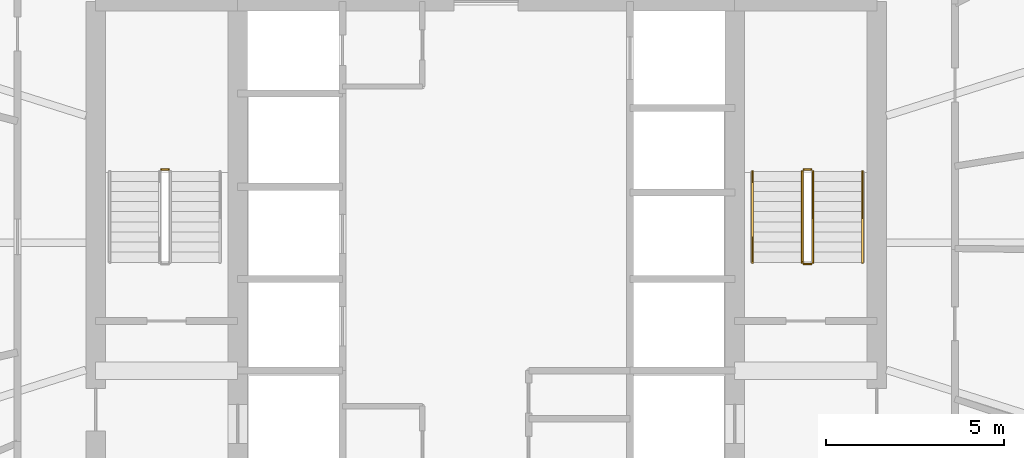
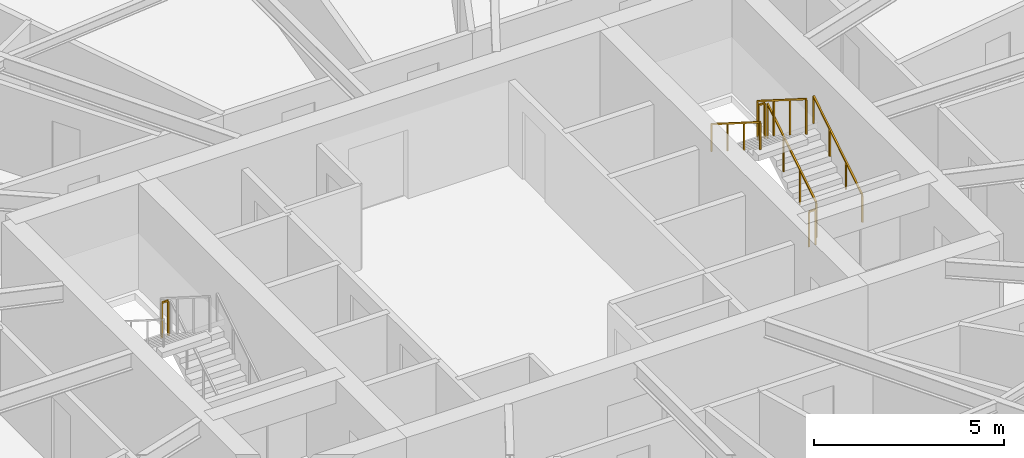
# One storey, part 24 of 24: 7 railings.
"""IFC4 building model written with IfcOpenShell, lengths in metres."""

from ifc_helpers import new_model, si_unit, direction, frame, origin, origin_2d, place, context, subcontext, project, spatial, rectangle, extrude, material, type_object, element, save


model = new_model("IFC4")

# Units and contexts
model_context = context("Model", 3, precision=1e-05, world=origin(), true_north=direction((0.0, 1.0)))
body_context = subcontext(model_context, "Body", "Model", "MODEL_VIEW")
ifc_project = project(units=[si_unit("LENGTHUNIT", "METRE"), si_unit("AREAUNIT", "SQUARE_METRE"), si_unit("VOLUMEUNIT", "CUBIC_METRE"), si_unit("PLANEANGLEUNIT", "RADIAN"), si_unit("MASSUNIT", "GRAM", prefix="KILO")], contexts=[model_context])

# Site, building, storey
site_placement = place(None, origin())
site = spatial("IfcSite", under=ifc_project, at=site_placement, CompositionType="ELEMENT")
building_placement = place(site_placement, origin())
building = spatial("IfcBuilding", under=site, at=building_placement, Name="Sarneth Arch Tower", CompositionType="ELEMENT")
storey_placement = place(building_placement, frame((0.0, 0.0, 112.800048828125)))
storey = spatial("IfcBuildingStorey", under=building, at=storey_placement, Name="L28", CompositionType="ELEMENT", Elevation=112.800048828125)

# Railings
ifc_material_1 = material(Name="Brushed Stainless Steel 304 tubular handrail", Category="steel")
railing_type_1 = type_object("IfcRailingType", Name="RAIL-HANDRAIL-900", PredefinedType="HANDRAIL", material=ifc_material_1)
railing_1_placement = place(storey_placement, frame((58.60009765625, 41.449951171875, 0.179931640625)))
element("IfcRailing", 1, at=railing_1_placement, inside=storey, type_object=railing_type_1, Name="L28 ST-2 stair handrail 1", PredefinedType="HANDRAIL", context=body_context, shape_type="SweptSolid", body=[
    extrude(rectangle(XDim=0.048095703125, YDim=0.048095703125, at=origin_2d()), frame((0.0, 0.0, 0.8759765625), z_axis=(0.0, 0.845465955043, 0.534029323973), x_axis=(-1.0, 0.0, 0.0)), (0.0, 0.0, 1.0), 3.03369140625),
    extrude(rectangle(XDim=0.0419921875, YDim=0.0419921875, at=origin_2d()), origin(), (0.0, 0.0, 1.0), 0.851806640625),
    extrude(rectangle(XDim=0.0419921875, YDim=0.0419921875, at=origin_2d()), frame((0.0, 0.85498046875, 0.5400390625)), (0.0, 0.0, 1.0), 0.851806640625),
    extrude(rectangle(XDim=0.0419921875, YDim=0.0419921875, at=origin_2d()), frame((0.0, 1.7099609375, 1.080078125)), (0.0, 0.0, 1.0), 0.851806640625),
    extrude(rectangle(XDim=0.0419921875, YDim=0.0419921875, at=origin_2d()), frame((0.0, 2.56494140625, 1.6201171875)), (0.0, 0.0, 1.0), 0.851806640625),
])
railing_2_placement = place(storey_placement, frame((55.5, 44.014892578125, 1.97998046875)))
element("IfcRailing", 2, at=railing_2_placement, inside=storey, type_object=railing_type_1, Name="L28 ST-2 stair handrail 2", PredefinedType="HANDRAIL", context=body_context, shape_type="SweptSolid", body=[
    extrude(rectangle(XDim=0.048095703125, YDim=0.048095703125, at=origin_2d()), frame((0.0, 0.0, 0.8759765625), z_axis=(0.0, -0.845502289212, 0.533971796014), x_axis=(1.0, 0.0, 0.0)), (0.0, 0.0, 1.0), 3.03369140625),
    extrude(rectangle(XDim=0.0419921875, YDim=0.0419921875, at=origin_2d()), origin(), (0.0, 0.0, 1.0), 0.851806640625),
    extrude(rectangle(XDim=0.0419921875, YDim=0.0419921875, at=origin_2d()), frame((0.0, -0.85498046875, 0.5400390625)), (0.0, 0.0, 1.0), 0.851806640625),
    extrude(rectangle(XDim=0.0419921875, YDim=0.0419921875, at=origin_2d()), frame((0.0, -1.7099609375, 1.079833984375)), (0.0, 0.0, 1.0), 0.851806640625),
    extrude(rectangle(XDim=0.0419921875, YDim=0.0419921875, at=origin_2d()), frame((0.0, -2.56494140625, 1.619873046875)), (0.0, 0.0, 1.0), 0.851806640625),
])
ifc_material_2 = material(Name="Painted Steel S275 stair well guard", Category="steel")
railing_type_2 = type_object("IfcRailingType", Name="RAIL-STAIR-GUARD", PredefinedType="GUARDRAIL", material=ifc_material_2)
railing_3_placement = place(storey_placement, frame((39.050048828125, 44.06494140625, 1.800048828125)))
element("IfcRailing", 3, at=railing_3_placement, inside=storey, type_object=railing_type_2, Name="L28 ST-1 stair guard 2", PredefinedType="GUARDRAIL", context=body_context, shape_type="SweptSolid", body=[
    extrude(rectangle(XDim=0.048095703125, YDim=0.048095703125, at=origin_2d()), frame((0.0, 0.0, 1.1259765625), z_axis=(-1.0, 0.0, 0.0), x_axis=(0.0, -1.0, 0.0)), (0.0, 0.0, 1.0), 0.199951171875),
    extrude(rectangle(XDim=0.0419921875, YDim=0.0419921875, at=origin_2d()), origin(), (0.0, 0.0, 1.0), 1.101806640625),
    extrude(rectangle(XDim=0.0419921875, YDim=0.0419921875, at=origin_2d()), frame((-0.199951171875, 0.0, 0.0)), (0.0, 0.0, 1.0), 1.101806640625),
])
railing_4_placement = place(storey_placement, frame((57.199951171875, 41.449951171875, 0.179931640625)))
element("IfcRailing", 4, at=railing_4_placement, inside=storey, type_object=railing_type_2, Name="L28 ST-2 stair guard 1", PredefinedType="GUARDRAIL", context=body_context, shape_type="SweptSolid", body=[
    extrude(rectangle(XDim=0.048095703125, YDim=0.048095703125, at=origin_2d()), frame((0.0, 0.0, 1.1259765625), z_axis=(0.0, 0.845465955043, 0.534029323973), x_axis=(-1.0, 0.0, 0.0)), (0.0, 0.0, 1.0), 3.03369140625),
    extrude(rectangle(XDim=0.0419921875, YDim=0.0419921875, at=origin_2d()), origin(), (0.0, 0.0, 1.0), 1.101806640625),
    extrude(rectangle(XDim=0.0419921875, YDim=0.0419921875, at=origin_2d()), frame((0.0, 0.85498046875, 0.5400390625)), (0.0, 0.0, 1.0), 1.101806640625),
    extrude(rectangle(XDim=0.0419921875, YDim=0.0419921875, at=origin_2d()), frame((0.0, 1.7099609375, 1.080078125)), (0.0, 0.0, 1.0), 1.101806640625),
    extrude(rectangle(XDim=0.0419921875, YDim=0.0419921875, at=origin_2d()), frame((0.0, 2.56494140625, 1.6201171875)), (0.0, 0.0, 1.0), 1.101806640625),
])
railing_5_placement = place(storey_placement, frame((57.14990234375, 44.06494140625, 1.800048828125)))
element("IfcRailing", 5, at=railing_5_placement, inside=storey, type_object=railing_type_2, Name="L28 ST-2 stair guard 2", PredefinedType="GUARDRAIL", context=body_context, shape_type="SweptSolid", body=[
    extrude(rectangle(XDim=0.048095703125, YDim=0.048095703125, at=origin_2d()), frame((0.0, 0.0, 1.1259765625), z_axis=(-1.0, 0.0, 0.0), x_axis=(0.0, -1.0, 0.0)), (0.0, 0.0, 1.0), 0.199951171875),
    extrude(rectangle(XDim=0.0419921875, YDim=0.0419921875, at=origin_2d()), origin(), (0.0, 0.0, 1.0), 1.101806640625),
    extrude(rectangle(XDim=0.0419921875, YDim=0.0419921875, at=origin_2d()), frame((-0.199951171875, 0.0, 0.0)), (0.0, 0.0, 1.0), 1.101806640625),
])
railing_6_placement = place(storey_placement, frame((56.89990234375, 44.014892578125, 1.97998046875)))
element("IfcRailing", 6, at=railing_6_placement, inside=storey, type_object=railing_type_2, Name="L28 ST-2 stair guard 3", PredefinedType="GUARDRAIL", context=body_context, shape_type="SweptSolid", body=[
    extrude(rectangle(XDim=0.048095703125, YDim=0.048095703125, at=origin_2d()), frame((0.0, 0.0, 1.1259765625), z_axis=(0.0, -0.845502289212, 0.533971796014), x_axis=(1.0, 0.0, 0.0)), (0.0, 0.0, 1.0), 3.03369140625),
    extrude(rectangle(XDim=0.0419921875, YDim=0.0419921875, at=origin_2d()), origin(), (0.0, 0.0, 1.0), 1.101806640625),
    extrude(rectangle(XDim=0.0419921875, YDim=0.0419921875, at=origin_2d()), frame((0.0, -0.85498046875, 0.5400390625)), (0.0, 0.0, 1.0), 1.101806640625),
    extrude(rectangle(XDim=0.0419921875, YDim=0.0419921875, at=origin_2d()), frame((0.0, -1.7099609375, 1.079833984375)), (0.0, 0.0, 1.0), 1.101806640625),
    extrude(rectangle(XDim=0.0419921875, YDim=0.0419921875, at=origin_2d()), frame((0.0, -2.56494140625, 1.619873046875)), (0.0, 0.0, 1.0), 1.101806640625),
])
railing_7_placement = place(storey_placement, frame((57.14990234375, 41.39990234375, 0.0)))
element("IfcRailing", 7, at=railing_7_placement, inside=storey, type_object=railing_type_2, Name="L28 ST-2 stair guard 4", PredefinedType="GUARDRAIL", context=body_context, shape_type="SweptSolid", body=[
    extrude(rectangle(XDim=0.048095703125, YDim=0.048095703125, at=origin_2d()), frame((0.0, 0.0, 1.1259765625), z_axis=(-1.0, 0.0, 0.0), x_axis=(0.0, -1.0, 0.0)), (0.0, 0.0, 1.0), 0.199951171875),
    extrude(rectangle(XDim=0.0419921875, YDim=0.0419921875, at=origin_2d()), origin(), (0.0, 0.0, 1.0), 1.101806640625),
    extrude(rectangle(XDim=0.0419921875, YDim=0.0419921875, at=origin_2d()), frame((-0.199951171875, 0.0, 0.0)), (0.0, 0.0, 1.0), 1.101806640625),
])

save(model, "model.ifc")
